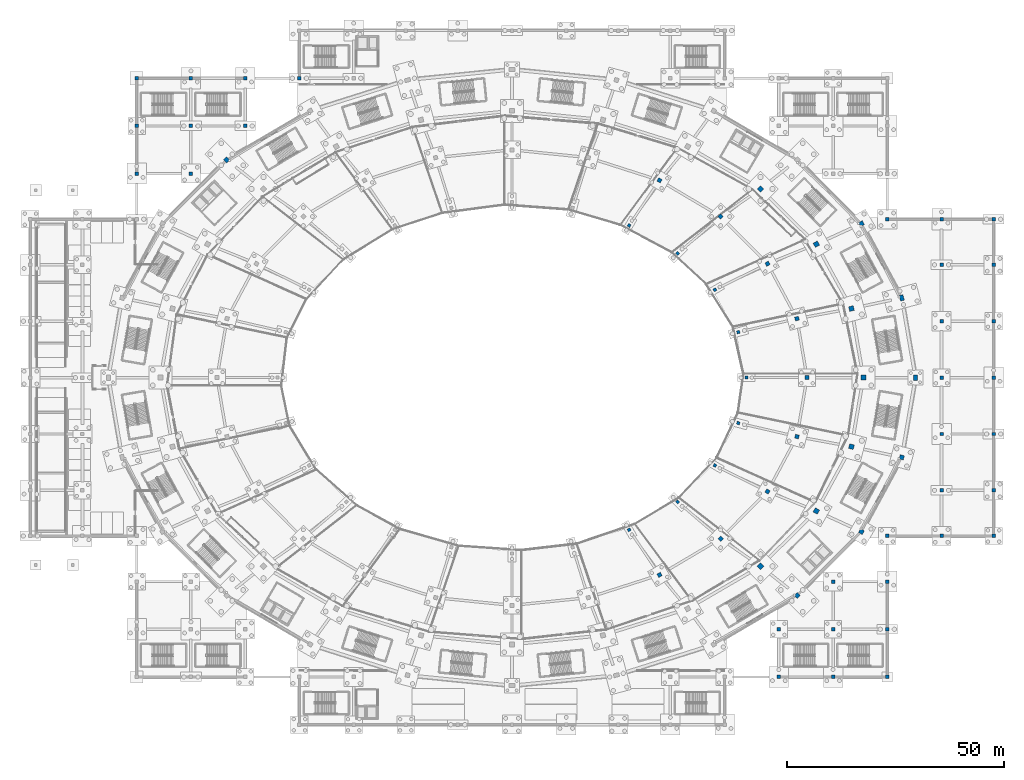
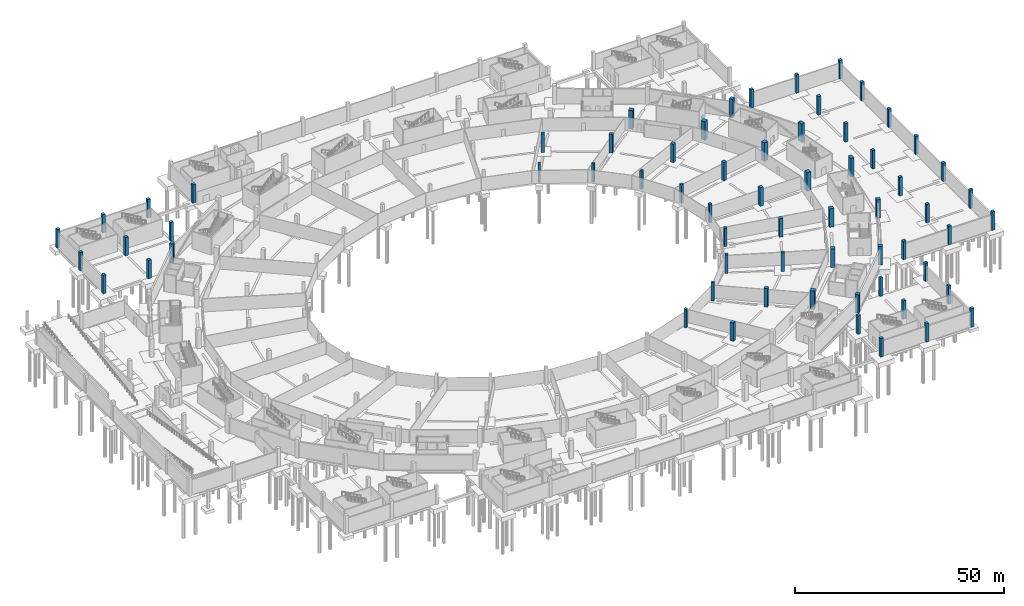
# One storey, part 13 of 74: 65 columns.
"""IFC4 building model written with IfcOpenShell, lengths in metres."""

from ifc_helpers import new_model, si_unit, direction, frame, origin, origin_2d, place, context, subcontext, project, spatial, rectangle, extrude, material, material_profile, profile_set, type_object, element, save


model = new_model("IFC4")

# Units and contexts
model_context = context("Model", 3, precision=1e-05, world=origin(), true_north=direction((0.0, 1.0)))
body_context = subcontext(model_context, "Body", "Model", "MODEL_VIEW")
ifc_project = project(units=[si_unit("LENGTHUNIT", "METRE"), si_unit("AREAUNIT", "SQUARE_METRE"), si_unit("VOLUMEUNIT", "CUBIC_METRE"), si_unit("PLANEANGLEUNIT", "RADIAN"), si_unit("MASSUNIT", "GRAM", prefix="KILO")], contexts=[model_context])

# Site, building, storey
site_placement = place(None, origin())
site = spatial("IfcSite", under=ifc_project, at=site_placement, CompositionType="ELEMENT")
building_placement = place(site_placement, origin())
building = spatial("IfcBuilding", under=site, at=building_placement, Name="Zlatoyarsky Gate Stadium", CompositionType="ELEMENT")
storey_placement = place(building_placement, frame((0.0, 0.0, -5.39990234375)))
storey = spatial("IfcBuildingStorey", under=building, at=storey_placement, Name="B1", CompositionType="ELEMENT", Elevation=-5.39990234375)

# Columns
ifc_material = material(Name="Concrete C40/50", Category="concrete")
ifc_material_profile_1 = material_profile(ifc_material, rectangle(XDim=0.89990234375, YDim=1.300048828125, at=origin_2d()), Name="RC PIER 900X1300")
ifc_profile_set_1 = profile_set([ifc_material_profile_1], Name="Concrete C40/50")
column_type_1 = type_object("IfcColumnType", Name="CONCRETE BOWL PIER 900X1300", PredefinedType="COLUMN", material=ifc_profile_set_1)
for number, where, z_axis, x_axis, name in (
    (1, (204.0, 80.0, 0.0), (0.0, 0.0, 1.0), (1.0, 0.0, 0.0), "Column RC-P130 RC-00 on B1"),
    (2, (200.8310546875, 98.376220703125, 0.0), (0.0, 0.0, 1.0), (0.965925826289, 0.258819045103, 0.0), "Column RC-P130 RC-01 on B1"),
):
    element("IfcColumn", number, at=place(storey_placement, frame(where, z_axis=z_axis, x_axis=x_axis)), inside=storey, type_object=column_type_1, Name=name, PredefinedType="COLUMN", context=body_context, shape_type="SweptSolid", body=[
        extrude(rectangle(XDim=0.89990234375, YDim=1.300048828125, at=origin_2d()), origin(), (0.0, 0.0, 1.0), 5.39990234375),
    ])
ifc_material_profile_2 = material_profile(ifc_material, rectangle(XDim=1.0, YDim=1.0, at=origin_2d()), Name="RC COL 1000X1000")
ifc_profile_set_2 = profile_set([ifc_material_profile_2], Name="Concrete C40/50")
column_type_2 = type_object("IfcColumnType", Name="CONCRETE COLUMN 1000X1000", PredefinedType="COLUMN", material=ifc_profile_set_2)
for number, where, z_axis, x_axis, name in (
    (3, (191.540283203125, 115.5, 0.0), (0.0, 0.0, 1.0), (0.866025403784, 0.5, 0.0), "Column RC-C100 RC-02 on B1"),
    (4, (45.239013671875, 130.20458984375, 0.0), (0.0, 0.0, 1.0), (-0.707106781187, 0.707106781187, 0.0), "Column RC-C100 RC-09 on B1"),
    (5, (176.760986328125, 29.79541015625, 0.0), (0.0, 0.0, 1.0), (0.707106781187, -0.707106781187, 0.0), "Column RC-C100 RC-21 on B1"),
    (6, (191.540283203125, 44.5, 0.0), (0.0, 0.0, 1.0), (0.866025403784, -0.5, 0.0), "Column RC-C100 RC-22 on B1"),
    (7, (200.8310546875, 61.623779296875, 0.0), (0.0, 0.0, 1.0), (0.965925826289, -0.258819045103, 0.0), "Column RC-C100 RC-23 on B1"),
):
    element("IfcColumn", number, at=place(storey_placement, frame(where, z_axis=z_axis, x_axis=x_axis)), inside=storey, type_object=column_type_2, Name=name, PredefinedType="COLUMN", context=body_context, shape_type="SweptSolid", body=[
        extrude(rectangle(XDim=1.0, YDim=1.0, at=origin_2d()), origin(), (0.0, 0.0, 1.0), 5.39990234375),
    ])
ifc_material_profile_3 = material_profile(ifc_material, rectangle(XDim=1.10009765625, YDim=1.10009765625, at=origin_2d()), Name="RC COL 1100X1100")
ifc_profile_set_3 = profile_set([ifc_material_profile_3], Name="Concrete C40/50")
column_type_3 = type_object("IfcColumnType", Name="CONCRETE COLUMN 1100X1100", PredefinedType="COLUMN", material=ifc_profile_set_3)
for number, where, z_axis, x_axis, name in (
    (8, (192.0, 80.0, 0.0), (0.0, 0.0, 1.0), (1.0, 0.0, 0.0), "Column RC-C110 RB-00 on B1"),
    (9, (189.239990234375, 95.91748046875, 0.0), (0.0, 0.0, 1.0), (0.965925826289, 0.258819045103, 0.0), "Column RC-C110 RB-01 on B1"),
    (10, (181.148193359375, 110.75, 0.0), (0.0, 0.0, 1.0), (0.866025403784, 0.5, 0.0), "Column RC-C110 RB-02 on B1"),
    (11, (168.275634765625, 123.487060546875, 0.0), (0.0, 0.0, 1.0), (0.707106781187, 0.707106781187, 0.0), "Column RC-C110 RB-03 on B1"),
    (12, (168.275634765625, 36.512939453125, 0.0), (0.0, 0.0, 1.0), (0.707106781187, -0.707106781187, 0.0), "Column RC-C110 RB-21 on B1"),
    (13, (181.148193359375, 49.25, 0.0), (0.0, 0.0, 1.0), (0.866025403784, -0.5, 0.0), "Column RC-C110 RB-22 on B1"),
    (14, (189.239990234375, 64.08251953125, 0.0), (0.0, 0.0, 1.0), (0.965925826289, -0.258819045103, 0.0), "Column RC-C110 RB-23 on B1"),
):
    element("IfcColumn", number, at=place(storey_placement, frame(where, z_axis=z_axis, x_axis=x_axis)), inside=storey, type_object=column_type_3, Name=name, PredefinedType="COLUMN", context=body_context, shape_type="SweptSolid", body=[
        extrude(rectangle(XDim=1.10009765625, YDim=1.10009765625, at=origin_2d()), origin(), (0.0, 0.0, 1.0), 5.39990234375),
    ])
ifc_material_profile_4 = material_profile(ifc_material, rectangle(XDim=0.699951171875, YDim=0.699951171875, at=origin_2d()), Name="RC COL 700X700")
ifc_profile_set_4 = profile_set([ifc_material_profile_4], Name="Concrete C40/50")
column_type_4 = type_object("IfcColumnType", Name="CONCRETE COLUMN 700X700", PredefinedType="COLUMN", material=ifc_profile_set_4)
for number, where, z_axis, x_axis, name in (
    (15, (165.0, 80.0, 0.0), (0.0, 0.0, 1.0), (1.0, 0.0, 0.0), "Column RC-C70 R0-00 on B1"),
    (16, (163.159912109375, 90.482177734375, 0.0), (0.0, 0.0, 1.0), (0.965925826289, 0.258819045103, 0.0), "Column RC-C70 R0-01 on B1"),
    (17, (157.765380859375, 100.25, 0.0), (0.0, 0.0, 1.0), (0.866025403784, 0.5, 0.0), "Column RC-C70 R0-02 on B1"),
    (18, (149.183837890625, 108.6376953125, 0.0), (0.0, 0.0, 1.0), (0.707106781187, 0.707106781187, 0.0), "Column RC-C70 R0-03 on B1"),
    (19, (138.0, 115.073974609375, 0.0), (0.0, 0.0, 1.0), (0.5, 0.866025403784, 0.0), "Column RC-C70 R0-04 on B1"),
    (20, (138.0, 44.926025390625, 0.0), (0.0, 0.0, 1.0), (0.5, -0.866025403784, 0.0), "Column RC-C70 R0-20 on B1"),
    (21, (149.183837890625, 51.3623046875, 0.0), (0.0, 0.0, 1.0), (0.707106781187, -0.707106781187, 0.0), "Column RC-C70 R0-21 on B1"),
    (22, (157.765380859375, 59.75, 0.0), (0.0, 0.0, 1.0), (0.866025403784, -0.5, 0.0), "Column RC-C70 R0-22 on B1"),
    (23, (163.159912109375, 69.517822265625, 0.0), (0.0, 0.0, 1.0), (0.965925826289, -0.258819045103, 0.0), "Column RC-C70 R0-23 on B1"),
):
    element("IfcColumn", number, at=place(storey_placement, frame(where, z_axis=z_axis, x_axis=x_axis)), inside=storey, type_object=column_type_4, Name=name, PredefinedType="COLUMN", context=body_context, shape_type="SweptSolid", body=[
        extrude(rectangle(XDim=0.699951171875, YDim=0.699951171875, at=origin_2d()), origin(), (0.0, 0.0, 1.0), 5.39990234375),
    ])
ifc_material_profile_5 = material_profile(ifc_material, rectangle(XDim=0.800048828125, YDim=0.800048828125, at=origin_2d()), Name="RC COL 800X800")
ifc_profile_set_5 = profile_set([ifc_material_profile_5], Name="Concrete C40/50")
column_type_5 = type_object("IfcColumnType", Name="CONCRETE COLUMN 800X800", PredefinedType="COLUMN", material=ifc_profile_set_5)
for number, where, z_axis, x_axis, name in (
    (24, (172.5, 11.0, 0.0), (0.0, 0.0, 1.0), (1.0, 0.0, 0.0), "Column RC-C80 WG-15-B on B1"),
    (25, (172.5, 22.0, 0.0), (0.0, 0.0, 1.0), (1.0, 0.0, 0.0), "Column RC-C80 WG-15-C on B1"),
    (26, (185.0, 11.0, 0.0), (0.0, 0.0, 1.0), (1.0, 0.0, 0.0), "Column RC-C80 WG-16-B on B1"),
    (27, (185.0, 22.0, 0.0), (0.0, 0.0, 1.0), (1.0, 0.0, 0.0), "Column RC-C80 WG-16-C on B1"),
    (28, (185.0, 33.0, 0.0), (0.0, 0.0, 1.0), (1.0, 0.0, 0.0), "Column RC-C80 WG-16-D on B1"),
    (29, (197.5, 11.0, 0.0), (0.0, 0.0, 1.0), (1.0, 0.0, 0.0), "Column RC-C80 WG-17-B on B1"),
    (30, (197.5, 22.0, 0.0), (0.0, 0.0, 1.0), (1.0, 0.0, 0.0), "Column RC-C80 WG-17-C on B1"),
    (31, (197.5, 33.0, 0.0), (0.0, 0.0, 1.0), (1.0, 0.0, 0.0), "Column RC-C80 WG-17-D on B1"),
    (32, (197.5, 43.5, 0.0), (0.0, 0.0, 1.0), (1.0, 0.0, 0.0), "Column RC-C80 WG-17-E on B1"),
    (33, (197.5, 116.5, 0.0), (0.0, 0.0, 1.0), (1.0, 0.0, 0.0), "Column RC-C80 WG-17-L on B1"),
    (34, (210.0, 43.5, 0.0), (0.0, 0.0, 1.0), (1.0, 0.0, 0.0), "Column RC-C80 WG-18-E on B1"),
    (35, (210.0, 54.0, 0.0), (0.0, 0.0, 1.0), (1.0, 0.0, 0.0), "Column RC-C80 WG-18-F on B1"),
    (36, (210.0, 67.0, 0.0), (0.0, 0.0, 1.0), (1.0, 0.0, 0.0), "Column RC-C80 WG-18-G on B1"),
    (37, (210.0, 80.0, 0.0), (0.0, 0.0, 1.0), (1.0, 0.0, 0.0), "Column RC-C80 WG-18-H on B1"),
    (38, (210.0, 93.0, 0.0), (0.0, 0.0, 1.0), (1.0, 0.0, 0.0), "Column RC-C80 WG-18-J on B1"),
    (39, (210.0, 106.0, 0.0), (0.0, 0.0, 1.0), (1.0, 0.0, 0.0), "Column RC-C80 WG-18-K on B1"),
    (40, (210.0, 116.5, 0.0), (0.0, 0.0, 1.0), (1.0, 0.0, 0.0), "Column RC-C80 WG-18-L on B1"),
    (41, (222.0, 43.5, 0.0), (0.0, 0.0, 1.0), (1.0, 0.0, 0.0), "Column RC-C80 WG-19-E on B1"),
    (42, (222.0, 54.0, 0.0), (0.0, 0.0, 1.0), (1.0, 0.0, 0.0), "Column RC-C80 WG-19-F on B1"),
    (43, (222.0, 67.0, 0.0), (0.0, 0.0, 1.0), (1.0, 0.0, 0.0), "Column RC-C80 WG-19-G on B1"),
    (44, (222.0, 80.0, 0.0), (0.0, 0.0, 1.0), (1.0, 0.0, 0.0), "Column RC-C80 WG-19-H on B1"),
    (45, (222.0, 93.0, 0.0), (0.0, 0.0, 1.0), (1.0, 0.0, 0.0), "Column RC-C80 WG-19-J on B1"),
    (46, (222.0, 106.0, 0.0), (0.0, 0.0, 1.0), (1.0, 0.0, 0.0), "Column RC-C80 WG-19-K on B1"),
    (47, (222.0, 116.5, 0.0), (0.0, 0.0, 1.0), (1.0, 0.0, 0.0), "Column RC-C80 WG-19-L on B1"),
    (48, (24.5, 127.0, 0.0), (0.0, 0.0, 1.0), (1.0, 0.0, 0.0), "Column RC-C80 WG-3-M on B1"),
    (49, (24.5, 138.0, 0.0), (0.0, 0.0, 1.0), (1.0, 0.0, 0.0), "Column RC-C80 WG-3-N on B1"),
    (50, (24.5, 149.0, 0.0), (0.0, 0.0, 1.0), (1.0, 0.0, 0.0), "Column RC-C80 WG-3-P on B1"),
    (51, (37.0, 127.0, 0.0), (0.0, 0.0, 1.0), (1.0, 0.0, 0.0), "Column RC-C80 WG-4-M on B1"),
    (52, (37.0, 138.0, 0.0), (0.0, 0.0, 1.0), (1.0, 0.0, 0.0), "Column RC-C80 WG-4-N on B1"),
    (53, (37.0, 149.0, 0.0), (0.0, 0.0, 1.0), (1.0, 0.0, 0.0), "Column RC-C80 WG-4-P on B1"),
    (54, (49.5, 138.0, 0.0), (0.0, 0.0, 1.0), (1.0, 0.0, 0.0), "Column RC-C80 WG-5-N on B1"),
    (55, (49.5, 149.0, 0.0), (0.0, 0.0, 1.0), (1.0, 0.0, 0.0), "Column RC-C80 WG-5-P on B1"),
    (56, (62.0, 149.0, 0.0), (0.0, 0.0, 1.0), (1.0, 0.0, 0.0), "Column RC-C80 WG-6-P on B1"),
):
    element("IfcColumn", number, at=place(storey_placement, frame(where, z_axis=z_axis, x_axis=x_axis)), inside=storey, type_object=column_type_5, Name=name, PredefinedType="COLUMN", context=body_context, shape_type="SweptSolid", body=[
        extrude(rectangle(XDim=0.800048828125, YDim=0.800048828125, at=origin_2d()), origin(), (0.0, 0.0, 1.0), 5.39990234375),
    ])
ifc_material_profile_6 = material_profile(ifc_material, rectangle(XDim=0.89990234375, YDim=0.89990234375, at=origin_2d()), Name="RC COL 900X900")
ifc_profile_set_6 = profile_set([ifc_material_profile_6], Name="Concrete C40/50")
column_type_6 = type_object("IfcColumnType", Name="CONCRETE COLUMN 900X900", PredefinedType="COLUMN", material=ifc_profile_set_6)
for number, where, z_axis, x_axis, name in (
    (57, (179.0, 80.0, 0.0), (0.0, 0.0, 1.0), (1.0, 0.0, 0.0), "Column RC-C90 RA-00 on B1"),
    (58, (176.68310546875, 93.587890625, 0.0), (0.0, 0.0, 1.0), (0.965925826289, 0.258819045103, 0.0), "Column RC-C90 RA-01 on B1"),
    (59, (169.8896484375, 106.25, 0.0), (0.0, 0.0, 1.0), (0.866025403784, 0.5, 0.0), "Column RC-C90 RA-02 on B1"),
    (60, (159.083251953125, 117.123046875, 0.0), (0.0, 0.0, 1.0), (0.707106781187, 0.707106781187, 0.0), "Column RC-C90 RA-03 on B1"),
    (61, (145.0, 125.46630859375, 0.0), (0.0, 0.0, 1.0), (0.5, 0.866025403784, 0.0), "Column RC-C90 RA-04 on B1"),
    (62, (145.0, 34.53369140625, 0.0), (0.0, 0.0, 1.0), (0.5, -0.866025403784, 0.0), "Column RC-C90 RA-20 on B1"),
    (63, (159.083251953125, 42.876953125, 0.0), (0.0, 0.0, 1.0), (0.707106781187, -0.707106781187, 0.0), "Column RC-C90 RA-21 on B1"),
    (64, (169.8896484375, 53.75, 0.0), (0.0, 0.0, 1.0), (0.866025403784, -0.5, 0.0), "Column RC-C90 RA-22 on B1"),
    (65, (176.68310546875, 66.412109375, 0.0), (0.0, 0.0, 1.0), (0.965925826289, -0.258819045103, 0.0), "Column RC-C90 RA-23 on B1"),
):
    element("IfcColumn", number, at=place(storey_placement, frame(where, z_axis=z_axis, x_axis=x_axis)), inside=storey, type_object=column_type_6, Name=name, PredefinedType="COLUMN", context=body_context, shape_type="SweptSolid", body=[
        extrude(rectangle(XDim=0.89990234375, YDim=0.89990234375, at=origin_2d()), origin(), (0.0, 0.0, 1.0), 5.39990234375),
    ])

save(model, "model.ifc")
